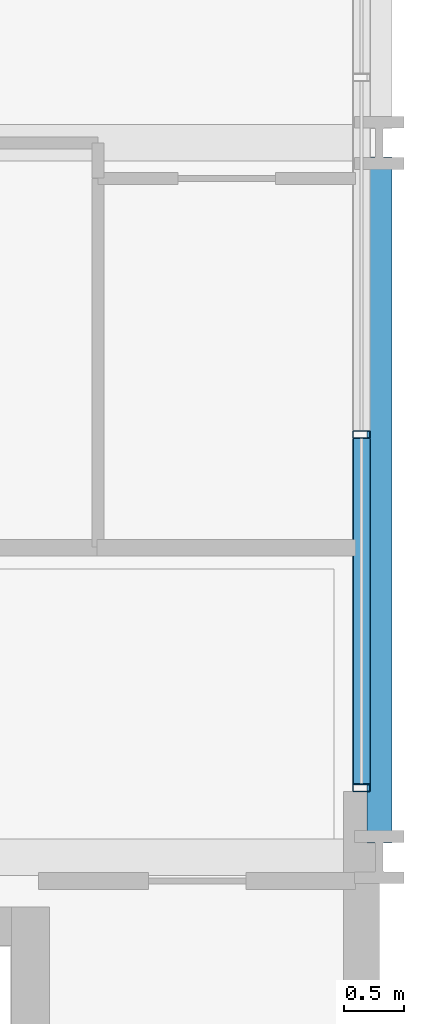
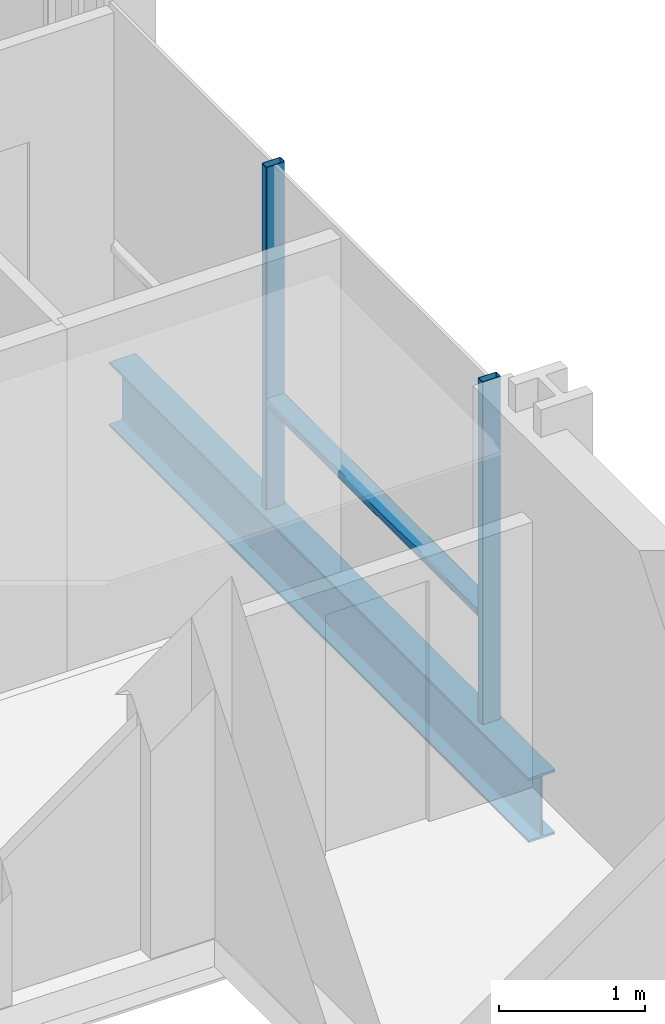
# One storey, part 15 of 41: 3 members, 1 beam, 1 element without a shape of its own.
"""IFC4 building model written with IfcOpenShell, lengths in metres."""

from ifc_helpers import new_model, si_unit, direction, frame, origin, origin_2d, place, context, subcontext, project, spatial, hollow_rectangle, i_section, extrude, material, layer, layer_set, material_profile, profile_set, type_object, element, aggregate, save


model = new_model("IFC4")

# Units and contexts
model_context = context("Model", 3, precision=1e-05, world=origin(), true_north=direction((0.0, 1.0)))
body_context = subcontext(model_context, "Body", "Model", "MODEL_VIEW")
ifc_project = project(units=[si_unit("LENGTHUNIT", "METRE"), si_unit("AREAUNIT", "SQUARE_METRE"), si_unit("VOLUMEUNIT", "CUBIC_METRE"), si_unit("PLANEANGLEUNIT", "RADIAN"), si_unit("MASSUNIT", "GRAM", prefix="KILO")], contexts=[model_context])

# Site, building, storey
site_placement = place(None, origin())
site = spatial("IfcSite", under=ifc_project, at=site_placement, CompositionType="ELEMENT")
building_placement = place(site_placement, origin())
building = spatial("IfcBuilding", under=site, at=building_placement, Name="Brevholm Reach", CompositionType="ELEMENT")
storey_placement = place(building_placement, frame((0.0, 0.0, 49.699951171875)))
storey = spatial("IfcBuildingStorey", under=building, at=storey_placement, Name="L13", CompositionType="ELEMENT", Elevation=49.699951171875)

# Beam
ifc_material_1 = material(Name="Structural Steel S355J2", Category="steel")
ifc_material_profile_1 = material_profile(ifc_material_1, i_section(OverallWidth=0.210693359375, OverallDepth=0.53955078125, WebThickness=0.01171875, FlangeThickness=0.018798828125, FilletRadius=0.0126953125, at=origin_2d()), Name="UKB 533x210x109")
ifc_profile_set_1 = profile_set([ifc_material_profile_1], Name="Structural Steel S355J2")
beam_type = type_object("IfcBeamType", Name="BM-SP539", PredefinedType="SPANDREL", material=ifc_profile_set_1)
beam_placement = place(storey_placement, frame((60.0, 10.1201171875, -0.499755859375), z_axis=(0.0, 1.0, 0.0), x_axis=(-1.0, 0.0, 0.0)))
element("IfcBeam", 1, at=beam_placement, inside=storey, type_object=beam_type, Name="L13 SP-01B Framing Beam", PredefinedType="SPANDREL", context=body_context, shape_type="SweptSolid", body=[
    extrude(i_section(OverallWidth=0.210693359375, OverallDepth=0.53955078125, WebThickness=0.01171875, FlangeThickness=0.018798828125, FilletRadius=0.0126953125, at=origin_2d()), origin(), (0.0, 0.0, 1.0), 5.759765625),
])

# Curtain wall, members
ifc_material_2 = material(Name="Dark Anodised Aluminium 6063-T6 and Solar-Control Glass", Category="aluminium")
ifc_layer = layer(ifc_material_2, 0.14990234375)
ifc_layer_set = layer_set([ifc_layer], Name="Dark Anodised Aluminium 6063-T6 and Solar-Control Glass")
curtain_wall_type = type_object("IfcCurtainWallType", Name="CW-01", PredefinedType="NOTDEFINED", material=ifc_layer_set)
curtain_wall_placement = place(storey_placement, origin())
curtain_wall = element("IfcCurtainWall", 2, at=curtain_wall_placement, inside=storey, type_object=curtain_wall_type, Name="L13 Curtain Wall CW-01", PredefinedType="NOTDEFINED")
ifc_material_3 = material(Name="Dark Anodised Aluminium 6063-T6", Category="aluminium")
ifc_material_profile_2 = material_profile(ifc_material_3, hollow_rectangle(XDim=0.06494140625, YDim=0.14990234375, WallThickness=0.0048828125, InnerFilletRadius=0.0048828125, OuterFilletRadius=0.010009765625, at=origin_2d()), Name="RHS 150x65x5")
ifc_profile_set_2 = profile_set([ifc_material_profile_2], Name="Dark Anodised Aluminium 6063-T6")
member_type_1 = type_object("IfcMemberType", Name="CWM-150", PredefinedType="MULLION", material=ifc_profile_set_2)
member_1_placement = place(storey_placement, frame((59.85009765625, 10.58251953125, 0.0), z_axis=(0.0, 0.0, 1.0), x_axis=(0.0, 1.0, 0.0)))
member_1 = element("IfcMember", 3, at=member_1_placement, type_object=member_type_1, Name="CM-150 Mullion 1", PredefinedType="MULLION", context=body_context, shape_type="SweptSolid", body=[
    extrude(hollow_rectangle(XDim=0.06494140625, YDim=0.14990234375, WallThickness=0.0048828125, InnerFilletRadius=0.0048828125, OuterFilletRadius=0.010009765625, at=origin_2d()), origin(), (0.0, 0.0, 1.0), 2.8701171875),
])
member_2_placement = place(storey_placement, frame((59.85009765625, 13.550048828125, 0.0), z_axis=(0.0, 0.0, 1.0), x_axis=(0.0, 1.0, 0.0)))
member_2 = element("IfcMember", 4, at=member_2_placement, type_object=member_type_1, Name="CM-150 Mullion 2", PredefinedType="MULLION", context=body_context, shape_type="SweptSolid", body=[
    extrude(hollow_rectangle(XDim=0.06494140625, YDim=0.14990234375, WallThickness=0.0048828125, InnerFilletRadius=0.0048828125, OuterFilletRadius=0.010009765625, at=origin_2d()), origin(), (0.0, 0.0, 1.0), 2.8701171875),
])
ifc_material_4 = material(Name="Dark Anodised Aluminium 6063-T6", Category="aluminium")
ifc_material_profile_3 = material_profile(ifc_material_4, hollow_rectangle(XDim=0.06494140625, YDim=0.14990234375, WallThickness=0.0048828125, InnerFilletRadius=0.0048828125, OuterFilletRadius=0.010009765625, at=origin_2d()), Name="RHS 150x65x5")
ifc_profile_set_3 = profile_set([ifc_material_profile_3], Name="Dark Anodised Aluminium 6063-T6")
member_type_2 = type_object("IfcMemberType", Name="CWT-150", PredefinedType="NOTDEFINED", material=ifc_profile_set_3)
member_3_placement = place(storey_placement, frame((59.85009765625, 10.614990234375, 0.900146484375), z_axis=(0.0, 1.0, 0.0), x_axis=(0.0, 0.0, 1.0)))
member_3 = element("IfcMember", 5, at=member_3_placement, type_object=member_type_2, Name="CT-150 Transom 1.1", ObjectType="TRANSOM", PredefinedType="USERDEFINED", context=body_context, shape_type="SweptSolid", body=[
    extrude(hollow_rectangle(XDim=0.06494140625, YDim=0.14990234375, WallThickness=0.0048828125, InnerFilletRadius=0.0048828125, OuterFilletRadius=0.010009765625, at=origin_2d()), origin(), (0.0, 0.0, 1.0), 2.902587890625),
])
aggregate(curtain_wall, [member_1, member_2, member_3])

save(model, "model.ifc")
